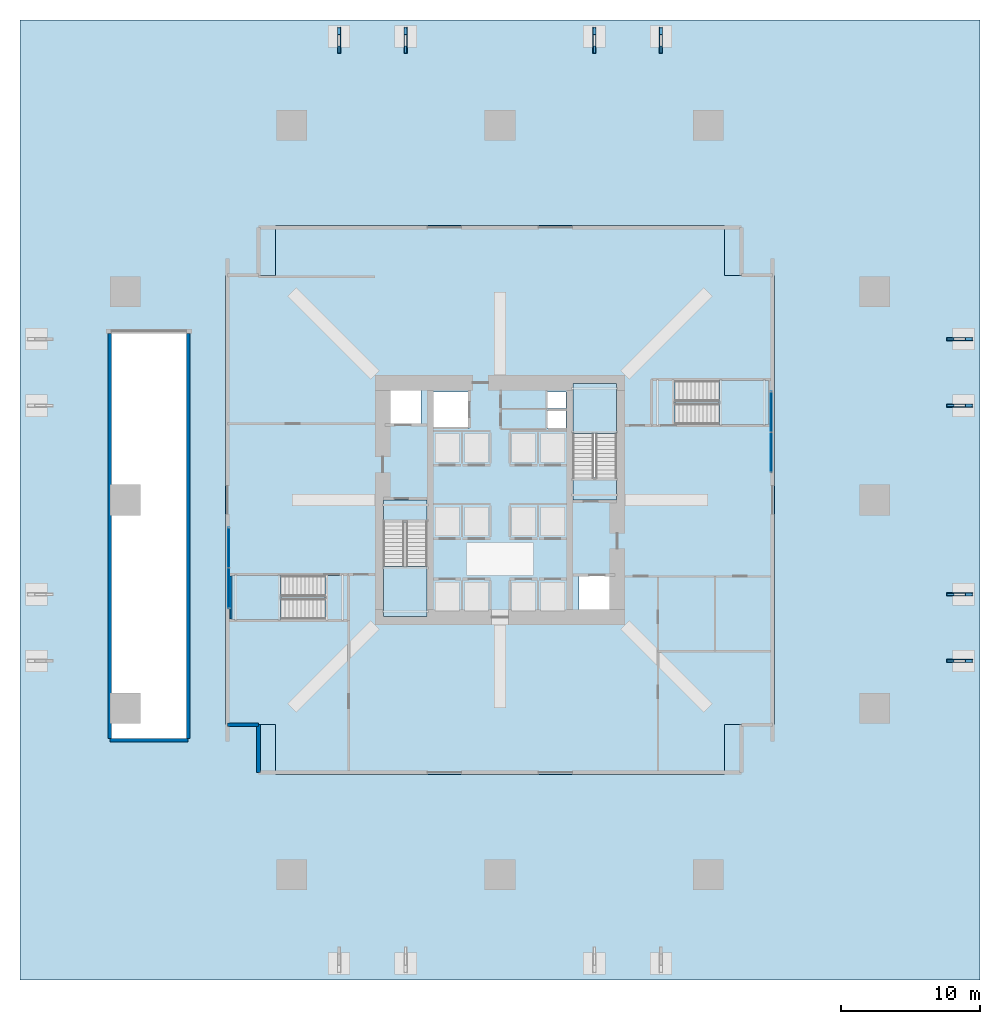
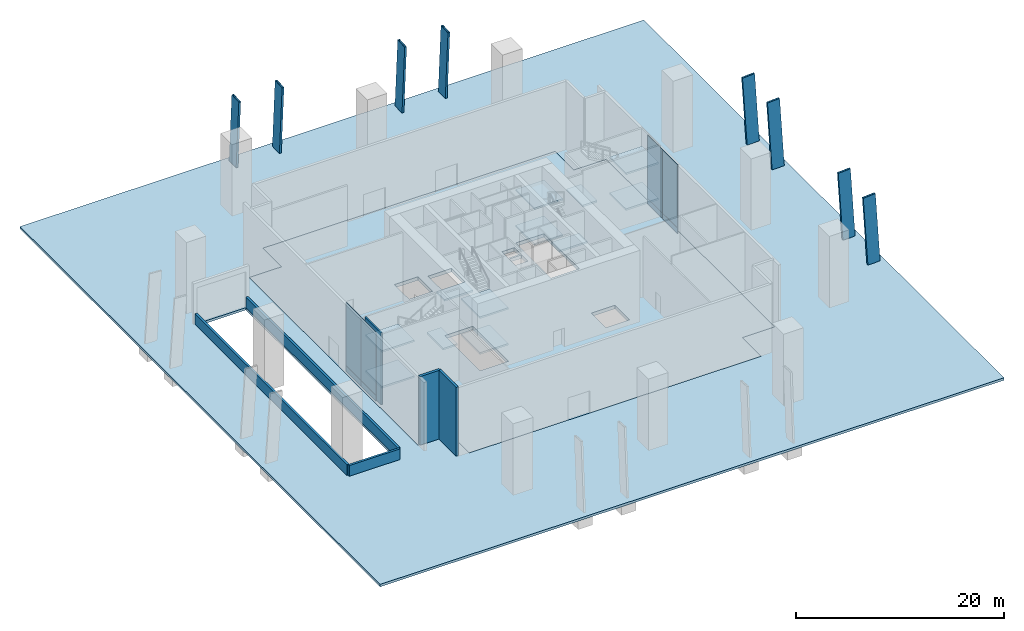
# One storey, part 5 of 12: 14 slabs, 8 members, 8 plates, 6 walls, 6 elements without a shape of their own.
"""IFC4 building model written with IfcOpenShell, lengths in metres."""

from ifc_helpers import new_model, si_unit, direction, frame, frame_2d, origin, origin_2d, place, context, subcontext, project, spatial, polyline, rectangle, hollow_rectangle, outline, extrude, material, layer, layer_set, material_profile, profile_set, type_object, element, aggregate, save


model = new_model("IFC4")

# Units and contexts
model_context = context("Model", 3, precision=1e-05, world=origin(), true_north=direction((0.0, 1.0)))
body_context = subcontext(model_context, "Body", "Model", "MODEL_VIEW")
ifc_project = project(units=[si_unit("LENGTHUNIT", "METRE"), si_unit("AREAUNIT", "SQUARE_METRE"), si_unit("VOLUMEUNIT", "CUBIC_METRE"), si_unit("PLANEANGLEUNIT", "RADIAN"), si_unit("MASSUNIT", "GRAM", prefix="KILO")], contexts=[model_context])

# Site, building, storey
site_placement = place(None, origin())
site = spatial("IfcSite", under=ifc_project, at=site_placement, CompositionType="ELEMENT")
building_placement = place(site_placement, origin())
building = spatial("IfcBuilding", under=site, at=building_placement, Name="Belovzor Exchange Tower", CompositionType="ELEMENT")
storey_placement = place(building_placement, origin())
storey = spatial("IfcBuildingStorey", under=building, at=storey_placement, Name="L01", CompositionType="ELEMENT", Elevation=0.0)

# Members
ifc_material_1 = material(Name="Extruded Architectural Terracotta on Steel S355 Carrier", Category="masonry")
ifc_material_profile = material_profile(ifc_material_1, hollow_rectangle(XDim=0.219970703125, YDim=1.35009765625, WallThickness=0.013916015625, at=origin_2d()))
ifc_profile_set = profile_set([ifc_material_profile], Name="Extruded Architectural Terracotta on Steel S355 Carrier")
member_type = type_object("IfcMemberType", Name="Base Arc Sweeping Terracotta Pylon Fin 1450", PredefinedType="USERDEFINED", material=ifc_profile_set)
for number, where, z_axis, x_axis, name in (
    (1, (17.199951171875, 62.199951171875, 0.0), (0.0, -0.064343388209, 0.997927817226), (1.0, 0.0, 0.0), "FIN-TC145 Sweeping Base Pylon Fin L01 N1"),
    (2, (62.199951171875, 17.199951171875, 0.0), (-0.064343388209, 0.0, 0.997927817226), (0.0, -1.0, 0.0), "FIN-TC145 Sweeping Base Pylon Fin L01 E1"),
    (3, (22.0, 62.199951171875, 0.0), (0.0, -0.064343388209, 0.997927817226), (1.0, 0.0, 0.0), "FIN-TC145 Sweeping Base Pylon Fin L01 N2"),
    (4, (62.199951171875, 22.0, 0.0), (-0.064343388209, 0.0, 0.997927817226), (0.0, -1.0, 0.0), "FIN-TC145 Sweeping Base Pylon Fin L01 E2"),
    (5, (35.60009765625, 62.199951171875, 0.0), (0.0, -0.064343388209, 0.997927817226), (1.0, 0.0, 0.0), "FIN-TC145 Sweeping Base Pylon Fin L01 N3"),
    (6, (62.199951171875, 35.60009765625, 0.0), (-0.064343388209, 0.0, 0.997927817226), (0.0, -1.0, 0.0), "FIN-TC145 Sweeping Base Pylon Fin L01 E3"),
    (7, (40.39990234375, 62.199951171875, 0.0), (0.0, -0.064343388209, 0.997927817226), (1.0, 0.0, 0.0), "FIN-TC145 Sweeping Base Pylon Fin L01 N4"),
    (8, (62.199951171875, 40.39990234375, 0.0), (-0.064343388209, 0.0, 0.997927817226), (0.0, -1.0, 0.0), "FIN-TC145 Sweeping Base Pylon Fin L01 E4"),
):
    element("IfcMember", number, at=place(storey_placement, frame(where, z_axis=z_axis, x_axis=x_axis)), inside=storey, type_object=member_type, Name=name, ObjectType="FIN", PredefinedType="USERDEFINED", context=body_context, shape_type="SweptSolid", body=[
        extrude(hollow_rectangle(XDim=0.219970703125, YDim=1.35009765625, WallThickness=0.013916015625, at=origin_2d()), origin(), (0.0, 0.0, 1.0), 8.066650390625),
    ])

# Slabs
ifc_material_2 = material(Name="Precast concrete C40/50", Category="concrete")
ifc_layer_1 = layer(ifc_material_2, 0.280029296875)
ifc_layer_set_1 = layer_set([ifc_layer_1], Name="Precast concrete C40/50")
slab_type_1 = type_object("IfcSlabType", Name="Heated Granite Exterior Concourse Paving Slab 280", PredefinedType="USERDEFINED", material=ifc_layer_set_1)
slab_1_placement = place(storey_placement, frame((0.0, 0.0, -0.280029296875)))
element("IfcSlab", 9, at=slab_1_placement, inside=storey, type_object=slab_type_1, Name="SL-PAV280 Exterior Concourse Plaza Slab L01", ObjectType="PAVING", PredefinedType="USERDEFINED", context=body_context, shape_type="SweptSolid", body=[
    extrude(outline(polyline([(-5.800048828125, -5.800048828125), (63.39990234375, -5.800048828125), (63.39990234375, 63.39990234375), (-5.800048828125, 63.39990234375), (-5.800048828125, -5.800048828125)]), holes=[polyline([(12.60009765625, 9.0), (45.0, 9.0), (45.0, 12.60009765625), (48.60009765625, 12.60009765625), (48.60009765625, 45.0), (45.0, 45.0), (45.0, 48.60009765625), (12.60009765625, 48.60009765625), (12.60009765625, 45.0), (9.0, 45.0), (9.0, 12.60009765625), (12.60009765625, 12.60009765625), (12.60009765625, 9.0)]), polyline([(0.800048828125, 11.60009765625), (6.199951171875, 11.60009765625), (6.199951171875, 40.800048828125), (0.800048828125, 40.800048828125), (0.800048828125, 11.60009765625)])]), origin(), (0.0, 0.0, 1.0), 0.280029296875),
])
ifc_material_3 = material(Name="Concrete C50/60", Category="concrete")
ifc_layer_2 = layer(ifc_material_3, 0.39990234375)
ifc_layer_set_2 = layer_set([ifc_layer_2], Name="Concrete C50/60")
slab_type_2 = type_object("IfcSlabType", Name="Reinforced Concrete Concourse Floor Slab 400", PredefinedType="FLOOR", material=ifc_layer_set_2)
slab_2_placement = place(storey_placement, frame((0.0, 0.0, -0.39990234375)))
element("IfcSlab", 10, at=slab_2_placement, inside=storey, type_object=slab_type_2, Name="SL-F400 Structural Slab L01", PredefinedType="FLOOR", context=body_context, shape_type="SweptSolid", body=[
    extrude(outline(polyline([(12.60009765625, 9.0), (45.0, 9.0), (45.0, 12.60009765625), (48.60009765625, 12.60009765625), (48.60009765625, 45.0), (45.0, 45.0), (45.0, 48.60009765625), (12.60009765625, 48.60009765625), (12.60009765625, 45.0), (9.0, 45.0), (9.0, 12.60009765625), (12.60009765625, 12.60009765625), (12.60009765625, 9.0)]), holes=[polyline([(20.39990234375, 27.175048828125), (20.39990234375, 20.39990234375), (23.550048828125, 20.39990234375), (23.550048828125, 27.175048828125), (20.39990234375, 27.175048828125)]), polyline([(37.199951171875, 30.425048828125), (37.199951171875, 37.199951171875), (34.050048828125, 37.199951171875), (34.050048828125, 30.425048828125), (37.199951171875, 30.425048828125)]), polyline([(20.5, 34.199951171875), (23.10009765625, 34.199951171875), (23.10009765625, 37.0), (20.5, 37.0), (20.5, 34.199951171875)]), polyline([(34.5, 20.60009765625), (37.10009765625, 20.60009765625), (37.10009765625, 23.39990234375), (34.5, 23.39990234375), (34.5, 20.60009765625)]), polyline([(24.0, 34.0), (26.60009765625, 34.0), (26.60009765625, 36.60009765625), (24.0, 36.60009765625), (24.0, 34.0)]), polyline([(32.199951171875, 34.0), (33.550048828125, 34.0), (33.550048828125, 35.199951171875), (32.199951171875, 35.199951171875), (32.199951171875, 34.0)]), polyline([(32.199951171875, 35.39990234375), (33.550048828125, 35.39990234375), (33.550048828125, 36.60009765625), (32.199951171875, 36.60009765625), (32.199951171875, 35.39990234375)])]), origin(), (0.0, 0.0, 1.0), 0.39990234375),
])

# Stair, slabs
ifc_material_4 = material(Name="Concrete C40/50", Category="concrete")
stair_type_1 = type_object("IfcStairType", Name="Reinforced Concrete Dogleg Escape Stair 1350", PredefinedType="HALF_TURN_STAIR", material=ifc_material_4)
stair_1_placement = place(storey_placement, origin())
stair_1 = element("IfcStair", 11, at=stair_1_placement, inside=storey, type_object=stair_type_1, Name="L01 ST-1", PredefinedType="HALF_TURN_STAIR")
ifc_material_5 = material(Name="Concrete C40/50", Category="concrete")
ifc_layer_3 = layer(ifc_material_5, 0.199951171875)
ifc_layer_set_3 = layer_set([ifc_layer_3], Name="Concrete C40/50")
slab_type_3 = type_object("IfcSlabType", Name="Reinforced Concrete Stair Half-Landing Slab 200", PredefinedType="LANDING", material=ifc_layer_set_3)
slab_3_placement = place(storey_placement, frame((0.0, 0.0, 1.89990234375)))
slab_3 = element("IfcSlab", 12, at=slab_3_placement, type_object=slab_type_3, Name="ST-1 landing 1", PredefinedType="LANDING", context=body_context, shape_type="SweptSolid", body=[
    extrude(outline(polyline([(20.39990234375, 24.010009765625), (20.39990234375, 20.39990234375), (23.550048828125, 20.39990234375), (23.550048828125, 24.010009765625), (20.39990234375, 24.010009765625)])), origin(), (0.0, 0.0, 1.0), 0.2001953125),
])
slab_4_placement = place(storey_placement, frame((0.0, 0.0, 4.0)))
slab_4 = element("IfcSlab", 13, at=slab_4_placement, type_object=slab_type_3, Name="ST-1 landing 2", PredefinedType="LANDING", context=body_context, shape_type="SweptSolid", body=[
    extrude(outline(polyline([(20.39990234375, 28.800048828125), (20.39990234375, 27.199951171875), (23.550048828125, 27.199951171875), (23.550048828125, 28.800048828125), (20.39990234375, 28.800048828125)])), origin(), (0.0, 0.0, 1.0), 0.199951171875),
])
slab_5_placement = place(storey_placement, frame((0.0, 0.0, 6.10009765625)))
slab_5 = element("IfcSlab", 14, at=slab_5_placement, type_object=slab_type_3, Name="ST-1 landing 3", PredefinedType="LANDING", context=body_context, shape_type="SweptSolid", body=[
    extrude(outline(polyline([(20.39990234375, 24.010009765625), (20.39990234375, 20.39990234375), (23.550048828125, 20.39990234375), (23.550048828125, 24.010009765625), (20.39990234375, 24.010009765625)])), origin(), (0.0, 0.0, 1.0), 0.199951171875),
])
aggregate(stair_1, [slab_3, slab_4, slab_5])

stair_2_placement = place(storey_placement, origin())
stair_2 = element("IfcStair", 15, at=stair_2_placement, inside=storey, type_object=stair_type_1, Name="L01 ST-2", PredefinedType="HALF_TURN_STAIR")
slab_6_placement = place(storey_placement, frame((0.0, 0.0, 1.89990234375)))
slab_6 = element("IfcSlab", 16, at=slab_6_placement, type_object=slab_type_3, Name="ST-2 landing 1", PredefinedType="LANDING", context=body_context, shape_type="SweptSolid", body=[
    extrude(outline(polyline([(37.199951171875, 33.590087890625), (37.199951171875, 37.199951171875), (34.050048828125, 37.199951171875), (34.050048828125, 33.590087890625), (37.199951171875, 33.590087890625)])), origin(), (0.0, 0.0, 1.0), 0.2001953125),
])
slab_7_placement = place(storey_placement, frame((0.0, 0.0, 4.0)))
slab_7 = element("IfcSlab", 17, at=slab_7_placement, type_object=slab_type_3, Name="ST-2 landing 2", PredefinedType="LANDING", context=body_context, shape_type="SweptSolid", body=[
    extrude(outline(polyline([(37.199951171875, 28.800048828125), (37.199951171875, 30.39990234375), (34.050048828125, 30.39990234375), (34.050048828125, 28.800048828125), (37.199951171875, 28.800048828125)])), origin(), (0.0, 0.0, 1.0), 0.199951171875),
])
slab_8_placement = place(storey_placement, frame((0.0, 0.0, 6.10009765625)))
slab_8 = element("IfcSlab", 18, at=slab_8_placement, type_object=slab_type_3, Name="ST-2 landing 3", PredefinedType="LANDING", context=body_context, shape_type="SweptSolid", body=[
    extrude(outline(polyline([(37.199951171875, 33.590087890625), (37.199951171875, 37.199951171875), (34.050048828125, 37.199951171875), (34.050048828125, 33.590087890625), (37.199951171875, 33.590087890625)])), origin(), (0.0, 0.0, 1.0), 0.199951171875),
])
aggregate(stair_2, [slab_6, slab_7, slab_8])

ifc_material_6 = material(Name="Concrete C40/50", Category="concrete")
stair_type_2 = type_object("IfcStairType", Name="Reinforced Concrete Podium Escape Stair 1400", PredefinedType="HALF_TURN_STAIR", material=ifc_material_6)
stair_3_placement = place(storey_placement, origin())
stair_3 = element("IfcStair", 19, at=stair_3_placement, inside=storey, type_object=stair_type_2, Name="L01 ST-3", PredefinedType="HALF_TURN_STAIR")
slab_9_placement = place(storey_placement, frame((0.0, 0.0, 1.89990234375)))
slab_9 = element("IfcSlab", 20, at=slab_9_placement, type_object=slab_type_3, Name="ST-3 landing 1", PredefinedType="LANDING", context=body_context, shape_type="SweptSolid", body=[
    extrude(outline(polyline([(13.010009765625, 23.35009765625), (9.39990234375, 23.35009765625), (9.39990234375, 20.199951171875), (13.010009765625, 20.199951171875), (13.010009765625, 23.35009765625)])), origin(), (0.0, 0.0, 1.0), 0.2001953125),
])
slab_10_placement = place(storey_placement, frame((0.0, 0.0, 4.0)))
slab_10 = element("IfcSlab", 21, at=slab_10_placement, type_object=slab_type_3, Name="ST-3 landing 2", PredefinedType="LANDING", context=body_context, shape_type="SweptSolid", body=[
    extrude(outline(polyline([(17.800048828125, 23.35009765625), (16.199951171875, 23.35009765625), (16.199951171875, 20.199951171875), (17.800048828125, 20.199951171875), (17.800048828125, 23.35009765625)])), origin(), (0.0, 0.0, 1.0), 0.199951171875),
])
slab_11_placement = place(storey_placement, frame((0.0, 0.0, 6.10009765625)))
slab_11 = element("IfcSlab", 22, at=slab_11_placement, type_object=slab_type_3, Name="ST-3 landing 3", PredefinedType="LANDING", context=body_context, shape_type="SweptSolid", body=[
    extrude(outline(polyline([(13.010009765625, 23.35009765625), (9.39990234375, 23.35009765625), (9.39990234375, 20.199951171875), (13.010009765625, 20.199951171875), (13.010009765625, 23.35009765625)])), origin(), (0.0, 0.0, 1.0), 0.199951171875),
])
aggregate(stair_3, [slab_9, slab_10, slab_11])

stair_4_placement = place(storey_placement, origin())
stair_4 = element("IfcStair", 23, at=stair_4_placement, inside=storey, type_object=stair_type_2, Name="L01 ST-4", PredefinedType="HALF_TURN_STAIR")
slab_12_placement = place(storey_placement, frame((0.0, 0.0, 1.89990234375)))
slab_12 = element("IfcSlab", 24, at=slab_12_placement, type_object=slab_type_3, Name="ST-4 landing 1", PredefinedType="LANDING", context=body_context, shape_type="SweptSolid", body=[
    extrude(outline(polyline([(44.590087890625, 34.25), (48.199951171875, 34.25), (48.199951171875, 37.39990234375), (44.590087890625, 37.39990234375), (44.590087890625, 34.25)])), origin(), (0.0, 0.0, 1.0), 0.2001953125),
])
slab_13_placement = place(storey_placement, frame((0.0, 0.0, 4.0)))
slab_13 = element("IfcSlab", 25, at=slab_13_placement, type_object=slab_type_3, Name="ST-4 landing 2", PredefinedType="LANDING", context=body_context, shape_type="SweptSolid", body=[
    extrude(outline(polyline([(39.800048828125, 34.25), (41.39990234375, 34.25), (41.39990234375, 37.39990234375), (39.800048828125, 37.39990234375), (39.800048828125, 34.25)])), origin(), (0.0, 0.0, 1.0), 0.199951171875),
])
slab_14_placement = place(storey_placement, frame((0.0, 0.0, 6.10009765625)))
slab_14 = element("IfcSlab", 26, at=slab_14_placement, type_object=slab_type_3, Name="ST-4 landing 3", PredefinedType="LANDING", context=body_context, shape_type="SweptSolid", body=[
    extrude(outline(polyline([(44.590087890625, 34.25), (48.199951171875, 34.25), (48.199951171875, 37.39990234375), (44.590087890625, 37.39990234375), (44.590087890625, 34.25)])), origin(), (0.0, 0.0, 1.0), 0.199951171875),
])
aggregate(stair_4, [slab_12, slab_13, slab_14])

# Curtain wall, plates
ifc_material_7 = material(Name="Anodised Aluminium Framing", Category="aluminium")
ifc_layer_4 = layer(ifc_material_7, 0.2099609375)
ifc_layer_set_4 = layer_set([ifc_layer_4], Name="Anodised Aluminium Framing")
curtain_wall_type = type_object("IfcCurtainWallType", Name="Double-Height Concourse & Gallery Curtain Wall", PredefinedType="NOTDEFINED", material=ifc_layer_set_4)
curtain_wall_1_placement = place(storey_placement, origin())
curtain_wall_1 = element("IfcCurtainWall", 27, at=curtain_wall_1_placement, inside=storey, type_object=curtain_wall_type, Name="CW2 Double-Height Concourse & Gallery Curtain Wall L01", PredefinedType="NOTDEFINED")
ifc_material_8 = material(Name="Extruded Architectural Terracotta", Category="masonry")
ifc_layer_5 = layer(ifc_material_8, 0.090087890625)
ifc_layer_set_5 = layer_set([ifc_layer_5], Name="Extruded Architectural Terracotta")
plate_type_1 = type_object("IfcPlateType", Name="Terracotta Shadow-Box Spandrel Panel 90", PredefinedType="CURTAIN_PANEL", material=ifc_layer_set_5)
plate_1_placement = place(storey_placement, frame((9.25, 22.449951171875, 0.0), z_axis=(0.0, 0.0, 1.0), x_axis=(0.0, 1.0, 0.0)))
plate_1 = element("IfcPlate", 28, at=plate_1_placement, type_object=plate_type_1, Name="SPD-90 Spandrel Panel 1", PredefinedType="CURTAIN_PANEL", context=body_context, shape_type="SweptSolid", body=[
    extrude(rectangle(XDim=2.884033203125, YDim=0.090087890625, at=origin_2d()), origin(), (0.0, 0.0, 1.0), 0.64794921875),
])
plate_2_placement = place(storey_placement, frame((9.25, 25.35009765625, 0.0), z_axis=(0.0, 0.0, 1.0), x_axis=(0.0, 1.0, 0.0)))
plate_2 = element("IfcPlate", 29, at=plate_2_placement, type_object=plate_type_1, Name="SPD-90 Spandrel Panel 2", PredefinedType="CURTAIN_PANEL", context=body_context, shape_type="SweptSolid", body=[
    extrude(rectangle(XDim=2.884033203125, YDim=0.090087890625, at=origin_2d()), origin(), (0.0, 0.0, 1.0), 0.64794921875),
])

curtain_wall_2_placement = place(storey_placement, origin())
curtain_wall_2 = element("IfcCurtainWall", 30, at=curtain_wall_2_placement, inside=storey, type_object=curtain_wall_type, Name="CW2 Double-Height Concourse & Gallery Curtain Wall L01", PredefinedType="NOTDEFINED")
plate_3_placement = place(storey_placement, frame((48.35009765625, 35.14990234375, 0.0), z_axis=(0.0, 0.0, 1.0), x_axis=(0.0, -1.0, 0.0)))
plate_3 = element("IfcPlate", 31, at=plate_3_placement, type_object=plate_type_1, Name="SPD-90 Spandrel Panel 1", PredefinedType="CURTAIN_PANEL", context=body_context, shape_type="SweptSolid", body=[
    extrude(rectangle(XDim=2.884033203125, YDim=0.090087890625, at=origin_2d()), origin(), (0.0, 0.0, 1.0), 0.64794921875),
])
plate_4_placement = place(storey_placement, frame((48.35009765625, 32.25, 0.0), z_axis=(0.0, 0.0, 1.0), x_axis=(0.0, -1.0, 0.0)))
plate_4 = element("IfcPlate", 32, at=plate_4_placement, type_object=plate_type_1, Name="SPD-90 Spandrel Panel 2", PredefinedType="CURTAIN_PANEL", context=body_context, shape_type="SweptSolid", body=[
    extrude(rectangle(XDim=2.884033203125, YDim=0.090087890625, at=origin_2d()), origin(), (0.0, 0.0, 1.0), 0.64794921875),
])

# Plate
ifc_material_9 = material(Name="Low-Iron Triple Glazing", Category="glass")
ifc_layer_6 = layer(ifc_material_9, 0.053955078125)
ifc_layer_set_6 = layer_set([ifc_layer_6], Name="Low-Iron Triple Glazing")
plate_type_2 = type_object("IfcPlateType", Name="Triple-Glazed Low-Iron Curtain Panel 54", PredefinedType="CURTAIN_PANEL", material=ifc_layer_set_6)
plate_5_placement = place(storey_placement, frame((9.25, 22.449951171875, 0.652099609375), z_axis=(0.0, 0.0, 1.0), x_axis=(0.0, 1.0, 0.0)))
plate_5 = element("IfcPlate", 33, at=plate_5_placement, type_object=plate_type_2, Name="GLZ-54 Glazed Curtain Panel 1", PredefinedType="CURTAIN_PANEL", context=body_context, shape_type="SweptSolid", body=[
    extrude(rectangle(XDim=2.884033203125, YDim=0.053955078125, at=origin_2d()), origin(), (0.0, 0.0, 1.0), 7.39794921875),
])

plate_6_placement = place(storey_placement, frame((9.25, 25.35009765625, 0.652099609375), z_axis=(0.0, 0.0, 1.0), x_axis=(0.0, 1.0, 0.0)))
plate_6 = element("IfcPlate", 34, at=plate_6_placement, type_object=plate_type_2, Name="GLZ-54 Glazed Curtain Panel 2", PredefinedType="CURTAIN_PANEL", context=body_context, shape_type="SweptSolid", body=[
    extrude(rectangle(XDim=2.884033203125, YDim=0.053955078125, at=origin_2d()), origin(), (0.0, 0.0, 1.0), 7.39794921875),
])

aggregate(curtain_wall_1, [plate_1, plate_5, plate_2, plate_6])

plate_7_placement = place(storey_placement, frame((48.35009765625, 35.14990234375, 0.652099609375), z_axis=(0.0, 0.0, 1.0), x_axis=(0.0, -1.0, 0.0)))
plate_7 = element("IfcPlate", 35, at=plate_7_placement, type_object=plate_type_2, Name="GLZ-54 Glazed Curtain Panel 1", PredefinedType="CURTAIN_PANEL", context=body_context, shape_type="SweptSolid", body=[
    extrude(rectangle(XDim=2.884033203125, YDim=0.053955078125, at=origin_2d()), origin(), (0.0, 0.0, 1.0), 7.39794921875),
])

plate_8_placement = place(storey_placement, frame((48.35009765625, 32.25, 0.652099609375), z_axis=(0.0, 0.0, 1.0), x_axis=(0.0, -1.0, 0.0)))
plate_8 = element("IfcPlate", 36, at=plate_8_placement, type_object=plate_type_2, Name="GLZ-54 Glazed Curtain Panel 2", PredefinedType="CURTAIN_PANEL", context=body_context, shape_type="SweptSolid", body=[
    extrude(rectangle(XDim=2.884033203125, YDim=0.053955078125, at=origin_2d()), origin(), (0.0, 0.0, 1.0), 7.39794921875),
])

aggregate(curtain_wall_2, [plate_3, plate_7, plate_4, plate_8])

# Walls
ifc_material_10 = material(Name="Precast concrete C40/50", Category="concrete")
ifc_layer_7 = layer(ifc_material_10, 0.280029296875)
ifc_layer_set_7 = layer_set([ifc_layer_7], Name="Precast concrete C40/50")
wall_type_1 = type_object("IfcWallType", Name="Precast Concrete Notched Corner Frame Wall 280", PredefinedType="SOLIDWALL", material=ifc_layer_set_7)
wall_1_placement = place(storey_placement, frame((11.39990234375, 9.14990234375, 0.0), z_axis=(0.0, 0.0, 1.0), x_axis=(0.0, 1.0, 0.0)))
element("IfcWall", 37, at=wall_1_placement, inside=storey, type_object=wall_type_1, Name="W-CRN280 Precast Concrete Notched Corner Frame Wall 280 L01", PredefinedType="SOLIDWALL", context=body_context, shape_type="SweptSolid", body=[
    extrude(rectangle(XDim=3.4501953125, YDim=0.280029296875, at=frame_2d((1.72509765625, 0.0))), origin(), (0.0, 0.0, 1.0), 8.050048828125),
])
wall_2_placement = place(storey_placement, frame((11.39990234375, 12.60009765625, 0.0), z_axis=(0.0, 0.0, 1.0), x_axis=(-1.0, 0.0, 0.0)))
element("IfcWall", 38, at=wall_2_placement, inside=storey, type_object=wall_type_1, Name="W-CRN280 Precast Concrete Notched Corner Frame Wall 280 L01", PredefinedType="SOLIDWALL", context=body_context, shape_type="SweptSolid", body=[
    extrude(rectangle(XDim=2.25, YDim=0.280029296875, at=frame_2d((1.125, 0.0))), origin(), (0.0, 0.0, 1.0), 8.050048828125),
])
ifc_material_11 = material(Name="Precast concrete C40/50", Category="concrete")
ifc_layer_8 = layer(ifc_material_11, 0.239990234375)
ifc_layer_set_8 = layer_set([ifc_layer_8], Name="Precast concrete C40/50")
wall_type_2 = type_object("IfcWallType", Name="Precast Stone Setback Roof Parapet Wall 240", PredefinedType="PARAPET", material=ifc_layer_set_8)
for number, where, z_axis, x_axis, name in (
    (39, (0.679931640625, 11.60009765625, 0.0), (0.0, 0.0, 1.0), (0.0, 1.0, 0.0), "W-PAR240 Precast Stone Setback Roof Parapet Wall 240 L01"),
    (40, (6.320068359375, 40.800048828125, 0.0), (0.0, 0.0, 1.0), (0.0, -1.0, 0.0), "W-PAR240 Precast Stone Setback Roof Parapet Wall 240 L01"),
):
    element("IfcWall", number, at=place(storey_placement, frame(where, z_axis=z_axis, x_axis=x_axis)), inside=storey, type_object=wall_type_2, Name=name, PredefinedType="PARAPET", context=body_context, shape_type="SweptSolid", body=[
        extrude(rectangle(XDim=29.199951171875, YDim=0.239990234375, at=frame_2d((14.60009765625, 0.0))), origin(), (0.0, 0.0, 1.0), 1.25),
    ])
wall_3_placement = place(storey_placement, frame((6.320068359375, 11.47998046875, 0.0), z_axis=(0.0, 0.0, 1.0), x_axis=(-1.0, 0.0, 0.0)))
element("IfcWall", 41, at=wall_3_placement, inside=storey, type_object=wall_type_2, Name="W-PAR240 Precast Stone Setback Roof Parapet Wall 240 L01", PredefinedType="PARAPET", context=body_context, shape_type="SweptSolid", body=[
    extrude(rectangle(XDim=5.64013671875, YDim=0.239990234375, at=frame_2d((2.820068359375, 0.0))), origin(), (0.0, 0.0, 1.0), 1.25),
])
ifc_material_12 = material(Name="Concrete C50/60", Category="concrete")
ifc_layer_9 = layer(ifc_material_12, 0.14990234375)
ifc_layer_set_9 = layer_set([ifc_layer_9], Name="Concrete C50/60")
wall_type_3 = type_object("IfcWallType", Name="Reinforced Concrete Core Riser Shear Wall 150", PredefinedType="SHEAR", material=ifc_layer_set_9)
wall_4_placement = place(storey_placement, frame((9.39990234375, 20.219970703125, 0.0), z_axis=(0.0, 0.0, 1.0), x_axis=(0.0, 1.0, 0.0)))
element("IfcWall", 42, at=wall_4_placement, inside=storey, type_object=wall_type_3, Name="W-C150S Core Shaft Wall W-ST3-L01-W", PredefinedType="SHEAR", context=body_context, shape_type="SweptSolid", body=[
    extrude(rectangle(XDim=3.110107421875, YDim=0.14990234375, at=frame_2d((1.55517578125, 0.0))), origin(), (0.0, 0.0, 1.0), 8.39794921875),
])

save(model, "model.ifc")
